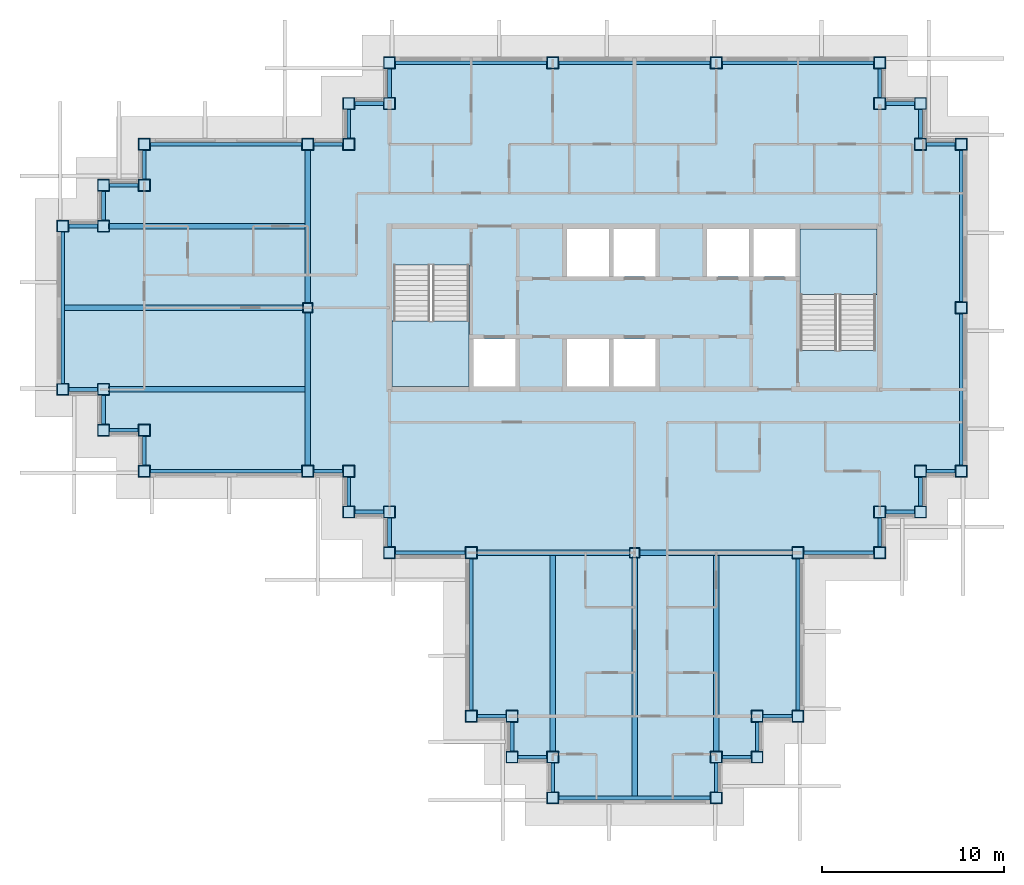
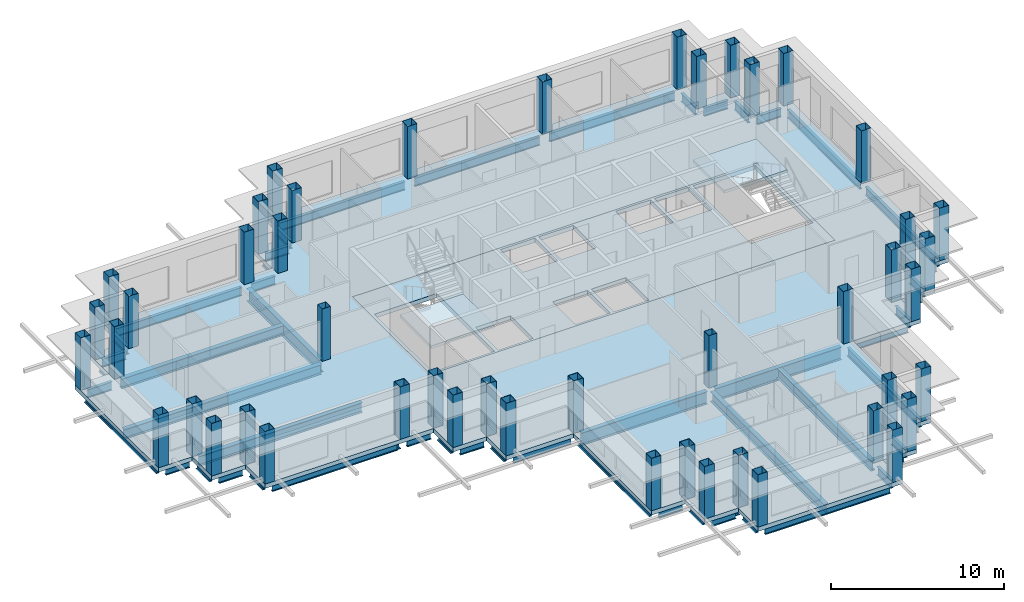
# One storey, part 1 of 12: 55 beams, 47 columns, 4 slabs, 2 elements without a shape of their own.
"""IFC4 building model written with IfcOpenShell, lengths in metres."""

from ifc_helpers import new_model, si_unit, direction, frame, origin, origin_2d, place, context, subcontext, project, spatial, polyline, hollow_rectangle, i_section, outline, extrude, material, layer, layer_set, material_profile, profile_set, type_object, element, aggregate, save


model = new_model("IFC4")

# Units and contexts
model_context = context("Model", 3, precision=1e-05, world=origin(), true_north=direction((0.0, 1.0)))
body_context = subcontext(model_context, "Body", "Model", "MODEL_VIEW")
ifc_project = project(units=[si_unit("LENGTHUNIT", "METRE"), si_unit("AREAUNIT", "SQUARE_METRE"), si_unit("VOLUMEUNIT", "CUBIC_METRE"), si_unit("PLANEANGLEUNIT", "RADIAN"), si_unit("MASSUNIT", "GRAM", prefix="KILO")], contexts=[model_context])

# Site, building, storey
site_placement = place(None, origin())
site = spatial("IfcSite", under=ifc_project, at=site_placement, CompositionType="ELEMENT")
building_placement = place(site_placement, origin())
building = spatial("IfcBuilding", under=site, at=building_placement, Name="Caravel Reach Hotel and Residences", CompositionType="ELEMENT")
storey_placement = place(building_placement, frame((0.0, 0.0, 218.300048828125)))
storey = spatial("IfcBuildingStorey", under=building, at=storey_placement, Name="L55", CompositionType="ELEMENT", Elevation=218.300048828125)

# Columns
ifc_material_1 = material(Name="Concrete-filled steel tube Q390B with Concrete C60 infill", Category="concrete")
ifc_material_profile_1 = material_profile(ifc_material_1, hollow_rectangle(XDim=0.550048828125, YDim=0.550048828125, WallThickness=0.01806640625, at=origin_2d()), Name="RHS 550x550x18")
ifc_profile_set_1 = profile_set([ifc_material_profile_1], Name="Concrete-filled steel tube Q390B with Concrete C60 infill")
column_type_1 = type_object("IfcColumnType", Name="CFT 550x550 Q390B C60", PredefinedType="COLUMN", material=ifc_profile_set_1)
for number, where, z_axis, x_axis, name in (
    (1, (31.5, 13.5, 0.0), (0.0, 0.0, 1.0), (1.0, 0.0, 0.0), "C18 column"),
    (2, (13.5, 27.0, 0.0), (0.0, 0.0, 1.0), (1.0, 0.0, 0.0), "C18 column"),
):
    element("IfcColumn", number, at=place(storey_placement, frame(where, z_axis=z_axis, x_axis=x_axis)), inside=storey, type_object=column_type_1, Name=name, PredefinedType="COLUMN", context=body_context, shape_type="SweptSolid", body=[
        extrude(hollow_rectangle(XDim=0.550048828125, YDim=0.550048828125, WallThickness=0.01806640625, at=origin_2d()), origin(), (0.0, 0.0, 1.0), 3.699951171875),
    ])
ifc_material_2 = material(Name="Concrete-filled steel tube Q390B with Concrete C60 infill", Category="concrete")
ifc_material_profile_2 = material_profile(ifc_material_2, hollow_rectangle(XDim=0.64990234375, YDim=0.64990234375, WallThickness=0.02099609375, at=origin_2d()), Name="RHS 650x650x21")
ifc_profile_set_2 = profile_set([ifc_material_profile_2], Name="Concrete-filled steel tube Q390B with Concrete C60 infill")
column_type_2 = type_object("IfcColumnType", Name="CFT 650x650 Q390B C60", PredefinedType="COLUMN", material=ifc_profile_set_2)
for number, where, z_axis, x_axis, name in (
    (3, (40.5, 13.5, 0.0), (0.0, 0.0, 1.0), (1.0, 0.0, 0.0), "C15 column"),
    (4, (45.0, 13.5, 0.0), (0.0, 0.0, 1.0), (1.0, 0.0, 0.0), "C15 column"),
    (5, (45.0, 15.75, 0.0), (0.0, 0.0, 1.0), (1.0, 0.0, 0.0), "C15 column"),
    (6, (47.25, 15.75, 0.0), (0.0, 0.0, 1.0), (1.0, 0.0, 0.0), "C15 column"),
    (7, (47.25, 18.0, 0.0), (0.0, 0.0, 1.0), (1.0, 0.0, 0.0), "C15 column"),
    (8, (49.5, 18.0, 0.0), (0.0, 0.0, 1.0), (1.0, 0.0, 0.0), "C15 column"),
    (9, (49.5, 27.0, 0.0), (0.0, 0.0, 1.0), (1.0, 0.0, 0.0), "C15 column"),
    (10, (49.5, 36.0, 0.0), (0.0, 0.0, 1.0), (1.0, 0.0, 0.0), "C15 column"),
    (11, (47.25, 36.0, 0.0), (0.0, 0.0, 1.0), (1.0, 0.0, 0.0), "C15 column"),
    (12, (47.25, 38.25, 0.0), (0.0, 0.0, 1.0), (1.0, 0.0, 0.0), "C15 column"),
    (13, (45.0, 38.25, 0.0), (0.0, 0.0, 1.0), (1.0, 0.0, 0.0), "C15 column"),
    (14, (45.0, 40.5, 0.0), (0.0, 0.0, 1.0), (1.0, 0.0, 0.0), "C15 column"),
    (15, (36.0, 40.5, 0.0), (0.0, 0.0, 1.0), (1.0, 0.0, 0.0), "C15 column"),
    (16, (27.0, 40.5, 0.0), (0.0, 0.0, 1.0), (1.0, 0.0, 0.0), "C15 column"),
    (17, (18.0, 40.5, 0.0), (0.0, 0.0, 1.0), (1.0, 0.0, 0.0), "C15 column"),
    (18, (18.0, 38.25, 0.0), (0.0, 0.0, 1.0), (1.0, 0.0, 0.0), "C15 column"),
    (19, (15.75, 38.25, 0.0), (0.0, 0.0, 1.0), (1.0, 0.0, 0.0), "C15 column"),
    (20, (15.75, 36.0, 0.0), (0.0, 0.0, 1.0), (1.0, 0.0, 0.0), "C15 column"),
    (21, (13.5, 36.0, 0.0), (0.0, 0.0, 1.0), (1.0, 0.0, 0.0), "C15 column"),
    (22, (4.5, 36.0, 0.0), (0.0, 0.0, 1.0), (1.0, 0.0, 0.0), "C15 column"),
    (23, (4.5, 33.75, 0.0), (0.0, 0.0, 1.0), (1.0, 0.0, 0.0), "C15 column"),
    (24, (2.25, 33.75, 0.0), (0.0, 0.0, 1.0), (1.0, 0.0, 0.0), "C15 column"),
    (25, (2.25, 31.5, 0.0), (0.0, 0.0, 1.0), (1.0, 0.0, 0.0), "C15 column"),
    (26, (0.0, 31.5, 0.0), (0.0, 0.0, 1.0), (1.0, 0.0, 0.0), "C15 column"),
    (27, (0.0, 22.5, 0.0), (0.0, 0.0, 1.0), (1.0, 0.0, 0.0), "C15 column"),
    (28, (2.25, 22.5, 0.0), (0.0, 0.0, 1.0), (1.0, 0.0, 0.0), "C15 column"),
    (29, (2.25, 20.25, 0.0), (0.0, 0.0, 1.0), (1.0, 0.0, 0.0), "C15 column"),
    (30, (4.5, 20.25, 0.0), (0.0, 0.0, 1.0), (1.0, 0.0, 0.0), "C15 column"),
    (31, (4.5, 18.0, 0.0), (0.0, 0.0, 1.0), (1.0, 0.0, 0.0), "C15 column"),
    (32, (13.5, 18.0, 0.0), (0.0, 0.0, 1.0), (1.0, 0.0, 0.0), "C15 column"),
    (33, (15.75, 18.0, 0.0), (0.0, 0.0, 1.0), (1.0, 0.0, 0.0), "C15 column"),
    (34, (15.75, 15.75, 0.0), (0.0, 0.0, 1.0), (1.0, 0.0, 0.0), "C15 column"),
    (35, (18.0, 15.75, 0.0), (0.0, 0.0, 1.0), (1.0, 0.0, 0.0), "C15 column"),
    (36, (18.0, 13.5, 0.0), (0.0, 0.0, 1.0), (1.0, 0.0, 0.0), "C15 column"),
    (37, (22.5, 13.5, 0.0), (0.0, 0.0, 1.0), (1.0, 0.0, 0.0), "C15 column"),
    (38, (22.5, 4.5, 0.0), (0.0, 0.0, 1.0), (1.0, 0.0, 0.0), "C15 column"),
    (39, (24.75, 4.5, 0.0), (0.0, 0.0, 1.0), (1.0, 0.0, 0.0), "C15 column"),
    (40, (24.75, 2.25, 0.0), (0.0, 0.0, 1.0), (1.0, 0.0, 0.0), "C15 column"),
    (41, (27.0, 2.25, 0.0), (0.0, 0.0, 1.0), (1.0, 0.0, 0.0), "C15 column"),
    (42, (27.0, 0.0, 0.0), (0.0, 0.0, 1.0), (1.0, 0.0, 0.0), "C15 column"),
    (43, (36.0, 0.0, 0.0), (0.0, 0.0, 1.0), (1.0, 0.0, 0.0), "C15 column"),
    (44, (36.0, 2.25, 0.0), (0.0, 0.0, 1.0), (1.0, 0.0, 0.0), "C15 column"),
    (45, (38.25, 2.25, 0.0), (0.0, 0.0, 1.0), (1.0, 0.0, 0.0), "C15 column"),
    (46, (38.25, 4.5, 0.0), (0.0, 0.0, 1.0), (1.0, 0.0, 0.0), "C15 column"),
    (47, (40.5, 4.5, 0.0), (0.0, 0.0, 1.0), (1.0, 0.0, 0.0), "C15 column"),
):
    element("IfcColumn", number, at=place(storey_placement, frame(where, z_axis=z_axis, x_axis=x_axis)), inside=storey, type_object=column_type_2, Name=name, PredefinedType="COLUMN", context=body_context, shape_type="SweptSolid", body=[
        extrude(hollow_rectangle(XDim=0.64990234375, YDim=0.64990234375, WallThickness=0.02099609375, at=origin_2d()), origin(), (0.0, 0.0, 1.0), 3.699951171875),
    ])

# Beams
ifc_material_3 = material(Name="Structural steel Q355B", Category="steel")
ifc_material_profile_3 = material_profile(ifc_material_3, i_section(OverallWidth=0.300048828125, OverallDepth=0.699951171875, WebThickness=0.012939453125, FlangeThickness=0.02392578125, FilletRadius=0.01806640625, at=origin_2d()), Name="HN 700x300x13x24")
ifc_profile_set_3 = profile_set([ifc_material_profile_3], Name="Structural steel Q355B")
beam_type_1 = type_object("IfcBeamType", Name="Beam HN 700x300x13x24", PredefinedType="BEAM", material=ifc_profile_set_3)
beam_1_placement = place(storey_placement, frame((27.0, 13.39990234375, -0.650146484375), z_axis=(0.0, -1.0, 0.0), x_axis=(1.0, 0.0, 0.0)))
element("IfcBeam", 48, at=beam_1_placement, inside=storey, type_object=beam_type_1, Name="B2 HN 700x300x13x24", PredefinedType="BEAM", context=body_context, shape_type="SweptSolid", body=[
    extrude(i_section(OverallWidth=0.300048828125, OverallDepth=0.699951171875, WebThickness=0.012939453125, FlangeThickness=0.02392578125, FilletRadius=0.01806640625, at=origin_2d()), origin(), (0.0, 0.0, 1.0), 10.875),
])
beam_2_placement = place(storey_placement, frame((31.5, 13.27490234375, -0.650146484375), z_axis=(0.0, -1.0, 0.0), x_axis=(1.0, 0.0, 0.0)))
element("IfcBeam", 49, at=beam_2_placement, inside=storey, type_object=beam_type_1, Name="B2 HN 700x300x13x24", PredefinedType="BEAM", context=body_context, shape_type="SweptSolid", body=[
    extrude(i_section(OverallWidth=0.300048828125, OverallDepth=0.699951171875, WebThickness=0.012939453125, FlangeThickness=0.02392578125, FilletRadius=0.01806640625, at=origin_2d()), origin(), (0.0, 0.0, 1.0), 13.1748046875),
])
for number, where, z_axis, x_axis, name in (
    (50, (36.0, 13.39990234375, -0.650146484375), (0.0, -1.0, 0.0), (1.0, 0.0, 0.0), "B2 HN 700x300x13x24"),
    (51, (13.39990234375, 22.5, -0.650146484375), (-1.0, 0.0, 0.0), (0.0, -1.0, 0.0), "B2 HN 700x300x13x24"),
):
    element("IfcBeam", number, at=place(storey_placement, frame(where, z_axis=z_axis, x_axis=x_axis)), inside=storey, type_object=beam_type_1, Name=name, PredefinedType="BEAM", context=body_context, shape_type="SweptSolid", body=[
        extrude(i_section(OverallWidth=0.300048828125, OverallDepth=0.699951171875, WebThickness=0.012939453125, FlangeThickness=0.02392578125, FilletRadius=0.01806640625, at=origin_2d()), origin(), (0.0, 0.0, 1.0), 10.875),
    ])
beam_3_placement = place(storey_placement, frame((13.27490234375, 27.0, -0.650146484375), z_axis=(-1.0, 0.0, 0.0), x_axis=(0.0, -1.0, 0.0)))
element("IfcBeam", 52, at=beam_3_placement, inside=storey, type_object=beam_type_1, Name="B2 HN 700x300x13x24", PredefinedType="BEAM", context=body_context, shape_type="SweptSolid", body=[
    extrude(i_section(OverallWidth=0.300048828125, OverallDepth=0.699951171875, WebThickness=0.012939453125, FlangeThickness=0.02392578125, FilletRadius=0.01806640625, at=origin_2d()), origin(), (0.0, 0.0, 1.0), 13.1748046875),
])
beam_4_placement = place(storey_placement, frame((13.39990234375, 31.5, -0.650146484375), z_axis=(-1.0, 0.0, 0.0), x_axis=(0.0, -1.0, 0.0)))
element("IfcBeam", 53, at=beam_4_placement, inside=storey, type_object=beam_type_1, Name="B2 HN 700x300x13x24", PredefinedType="BEAM", context=body_context, shape_type="SweptSolid", body=[
    extrude(i_section(OverallWidth=0.300048828125, OverallDepth=0.699951171875, WebThickness=0.012939453125, FlangeThickness=0.02392578125, FilletRadius=0.01806640625, at=origin_2d()), origin(), (0.0, 0.0, 1.0), 10.875),
])
ifc_material_4 = material(Name="Structural steel Q355B", Category="steel")
ifc_material_profile_4 = material_profile(ifc_material_4, i_section(OverallWidth=0.300048828125, OverallDepth=0.89990234375, WebThickness=0.01611328125, FlangeThickness=0.028076171875, FilletRadius=0.01806640625, at=origin_2d()), Name="HN 900x300x16x28")
ifc_profile_set_4 = profile_set([ifc_material_profile_4], Name="Structural steel Q355B")
beam_type_2 = type_object("IfcBeamType", Name="Beam HN 900x300x16x28", PredefinedType="BEAM", material=ifc_profile_set_4)
for number, where, z_axis, x_axis, name in (
    (54, (22.824951171875, 13.5, -0.75), (1.0, 0.0, 0.0), (0.0, 1.0, 0.0), "B3 HN 900x300x16x28"),
    (55, (31.77490234375, 13.5, -0.75), (1.0, 0.0, 0.0), (0.0, 1.0, 0.0), "B3 HN 900x300x16x28"),
    (56, (13.5, 18.324951171875, -0.75), (0.0, 1.0, 0.0), (-1.0, 0.0, 0.0), "B3 HN 900x300x16x28"),
    (57, (13.5, 27.27490234375, -0.75), (0.0, 1.0, 0.0), (-1.0, 0.0, 0.0), "B3 HN 900x300x16x28"),
):
    element("IfcBeam", number, at=place(storey_placement, frame(where, z_axis=z_axis, x_axis=x_axis)), inside=storey, type_object=beam_type_2, Name=name, PredefinedType="BEAM", context=body_context, shape_type="SweptSolid", body=[
        extrude(i_section(OverallWidth=0.300048828125, OverallDepth=0.89990234375, WebThickness=0.01611328125, FlangeThickness=0.028076171875, FilletRadius=0.01806640625, at=origin_2d()), origin(), (0.0, 0.0, 1.0), 8.400146484375),
    ])
ifc_material_5 = material(Name="Structural steel Q355B", Category="steel")
ifc_material_profile_5 = material_profile(ifc_material_5, i_section(OverallWidth=0.199951171875, OverallDepth=0.60009765625, WebThickness=0.010986328125, FlangeThickness=0.01708984375, FilletRadius=0.012939453125, at=origin_2d()), Name="HN 600x200x11x17")
ifc_profile_set_5 = profile_set([ifc_material_profile_5], Name="Structural steel Q355B")
beam_type_3 = type_object("IfcBeamType", Name="Spandrel beam HN 600x200x11x17", PredefinedType="SPANDREL", material=ifc_profile_set_5)
beam_5_placement = place(storey_placement, frame((40.824951171875, 13.5, -0.60009765625), z_axis=(1.0, 0.0, 0.0), x_axis=(0.0, 1.0, 0.0)))
element("IfcBeam", 58, at=beam_5_placement, inside=storey, type_object=beam_type_3, Name="SP1 HN 600x200x11x17", PredefinedType="SPANDREL", context=body_context, shape_type="SweptSolid", body=[
    extrude(i_section(OverallWidth=0.199951171875, OverallDepth=0.60009765625, WebThickness=0.010986328125, FlangeThickness=0.01708984375, FilletRadius=0.012939453125, at=origin_2d()), origin(), (0.0, 0.0, 1.0), 3.85009765625),
])
for number, where, z_axis, x_axis, name in (
    (59, (45.0, 13.824951171875, -0.60009765625), (0.0, 1.0, 0.0), (-1.0, 0.0, 0.0), "SP1 HN 600x200x11x17"),
    (60, (45.324951171875, 15.75, -0.60009765625), (1.0, 0.0, 0.0), (0.0, 1.0, 0.0), "SP1 HN 600x200x11x17"),
    (61, (47.25, 16.074951171875, -0.60009765625), (0.0, 1.0, 0.0), (-1.0, 0.0, 0.0), "SP1 HN 600x200x11x17"),
    (62, (47.574951171875, 18.0, -0.60009765625), (1.0, 0.0, 0.0), (0.0, 1.0, 0.0), "SP1 HN 600x200x11x17"),
):
    element("IfcBeam", number, at=place(storey_placement, frame(where, z_axis=z_axis, x_axis=x_axis)), inside=storey, type_object=beam_type_3, Name=name, PredefinedType="SPANDREL", context=body_context, shape_type="SweptSolid", body=[
        extrude(i_section(OverallWidth=0.199951171875, OverallDepth=0.60009765625, WebThickness=0.010986328125, FlangeThickness=0.01708984375, FilletRadius=0.012939453125, at=origin_2d()), origin(), (0.0, 0.0, 1.0), 1.60009765625),
    ])
for number, where, z_axis, x_axis, name in (
    (63, (49.5, 18.324951171875, -0.60009765625), (0.0, 1.0, 0.0), (-1.0, 0.0, 0.0), "SP1 HN 600x200x11x17"),
    (64, (49.5, 27.324951171875, -0.60009765625), (0.0, 1.0, 0.0), (-1.0, 0.0, 0.0), "SP1 HN 600x200x11x17"),
):
    element("IfcBeam", number, at=place(storey_placement, frame(where, z_axis=z_axis, x_axis=x_axis)), inside=storey, type_object=beam_type_3, Name=name, PredefinedType="SPANDREL", context=body_context, shape_type="SweptSolid", body=[
        extrude(i_section(OverallWidth=0.199951171875, OverallDepth=0.60009765625, WebThickness=0.010986328125, FlangeThickness=0.01708984375, FilletRadius=0.012939453125, at=origin_2d()), origin(), (0.0, 0.0, 1.0), 8.35009765625),
    ])
for number, where, z_axis, x_axis, name in (
    (65, (49.175048828125, 36.0, -0.60009765625), (-1.0, 0.0, 0.0), (0.0, -1.0, 0.0), "SP1 HN 600x200x11x17"),
    (66, (47.25, 36.324951171875, -0.60009765625), (0.0, 1.0, 0.0), (-1.0, 0.0, 0.0), "SP1 HN 600x200x11x17"),
    (67, (46.925048828125, 38.25, -0.60009765625), (-1.0, 0.0, 0.0), (0.0, -1.0, 0.0), "SP1 HN 600x200x11x17"),
    (68, (45.0, 38.574951171875, -0.60009765625), (0.0, 1.0, 0.0), (-1.0, 0.0, 0.0), "SP1 HN 600x200x11x17"),
):
    element("IfcBeam", number, at=place(storey_placement, frame(where, z_axis=z_axis, x_axis=x_axis)), inside=storey, type_object=beam_type_3, Name=name, PredefinedType="SPANDREL", context=body_context, shape_type="SweptSolid", body=[
        extrude(i_section(OverallWidth=0.199951171875, OverallDepth=0.60009765625, WebThickness=0.010986328125, FlangeThickness=0.01708984375, FilletRadius=0.012939453125, at=origin_2d()), origin(), (0.0, 0.0, 1.0), 1.60009765625),
    ])
for number, where, z_axis, x_axis, name in (
    (69, (44.675048828125, 40.5, -0.60009765625), (-1.0, 0.0, 0.0), (0.0, -1.0, 0.0), "SP1 HN 600x200x11x17"),
    (70, (35.675048828125, 40.5, -0.60009765625), (-1.0, 0.0, 0.0), (0.0, -1.0, 0.0), "SP1 HN 600x200x11x17"),
    (71, (26.675048828125, 40.5, -0.60009765625), (-1.0, 0.0, 0.0), (0.0, -1.0, 0.0), "SP1 HN 600x200x11x17"),
):
    element("IfcBeam", number, at=place(storey_placement, frame(where, z_axis=z_axis, x_axis=x_axis)), inside=storey, type_object=beam_type_3, Name=name, PredefinedType="SPANDREL", context=body_context, shape_type="SweptSolid", body=[
        extrude(i_section(OverallWidth=0.199951171875, OverallDepth=0.60009765625, WebThickness=0.010986328125, FlangeThickness=0.01708984375, FilletRadius=0.012939453125, at=origin_2d()), origin(), (0.0, 0.0, 1.0), 8.35009765625),
    ])
for number, where, z_axis, x_axis, name in (
    (72, (18.0, 40.175048828125, -0.60009765625), (0.0, -1.0, 0.0), (1.0, 0.0, 0.0), "SP1 HN 600x200x11x17"),
    (73, (17.675048828125, 38.25, -0.60009765625), (-1.0, 0.0, 0.0), (0.0, -1.0, 0.0), "SP1 HN 600x200x11x17"),
    (74, (15.75, 37.925048828125, -0.60009765625), (0.0, -1.0, 0.0), (1.0, 0.0, 0.0), "SP1 HN 600x200x11x17"),
    (75, (15.425048828125, 36.0, -0.60009765625), (-1.0, 0.0, 0.0), (0.0, -1.0, 0.0), "SP1 HN 600x200x11x17"),
):
    element("IfcBeam", number, at=place(storey_placement, frame(where, z_axis=z_axis, x_axis=x_axis)), inside=storey, type_object=beam_type_3, Name=name, PredefinedType="SPANDREL", context=body_context, shape_type="SweptSolid", body=[
        extrude(i_section(OverallWidth=0.199951171875, OverallDepth=0.60009765625, WebThickness=0.010986328125, FlangeThickness=0.01708984375, FilletRadius=0.012939453125, at=origin_2d()), origin(), (0.0, 0.0, 1.0), 1.60009765625),
    ])
beam_6_placement = place(storey_placement, frame((13.175048828125, 36.0, -0.60009765625), z_axis=(-1.0, 0.0, 0.0), x_axis=(0.0, -1.0, 0.0)))
element("IfcBeam", 76, at=beam_6_placement, inside=storey, type_object=beam_type_3, Name="SP1 HN 600x200x11x17", PredefinedType="SPANDREL", context=body_context, shape_type="SweptSolid", body=[
    extrude(i_section(OverallWidth=0.199951171875, OverallDepth=0.60009765625, WebThickness=0.010986328125, FlangeThickness=0.01708984375, FilletRadius=0.012939453125, at=origin_2d()), origin(), (0.0, 0.0, 1.0), 8.35009765625),
])
for number, where, z_axis, x_axis, name in (
    (77, (4.5, 35.675048828125, -0.60009765625), (0.0, -1.0, 0.0), (1.0, 0.0, 0.0), "SP1 HN 600x200x11x17"),
    (78, (4.175048828125, 33.75, -0.60009765625), (-1.0, 0.0, 0.0), (0.0, -1.0, 0.0), "SP1 HN 600x200x11x17"),
    (79, (2.25, 33.425048828125, -0.60009765625), (0.0, -1.0, 0.0), (1.0, 0.0, 0.0), "SP1 HN 600x200x11x17"),
    (80, (1.925048828125, 31.5, -0.60009765625), (-1.0, 0.0, 0.0), (0.0, -1.0, 0.0), "SP1 HN 600x200x11x17"),
):
    element("IfcBeam", number, at=place(storey_placement, frame(where, z_axis=z_axis, x_axis=x_axis)), inside=storey, type_object=beam_type_3, Name=name, PredefinedType="SPANDREL", context=body_context, shape_type="SweptSolid", body=[
        extrude(i_section(OverallWidth=0.199951171875, OverallDepth=0.60009765625, WebThickness=0.010986328125, FlangeThickness=0.01708984375, FilletRadius=0.012939453125, at=origin_2d()), origin(), (0.0, 0.0, 1.0), 1.60009765625),
    ])
beam_7_placement = place(storey_placement, frame((0.0, 31.175048828125, -0.60009765625), z_axis=(0.0, -1.0, 0.0), x_axis=(1.0, 0.0, 0.0)))
element("IfcBeam", 81, at=beam_7_placement, inside=storey, type_object=beam_type_3, Name="SP1 HN 600x200x11x17", PredefinedType="SPANDREL", context=body_context, shape_type="SweptSolid", body=[
    extrude(i_section(OverallWidth=0.199951171875, OverallDepth=0.60009765625, WebThickness=0.010986328125, FlangeThickness=0.01708984375, FilletRadius=0.012939453125, at=origin_2d()), origin(), (0.0, 0.0, 1.0), 8.35009765625),
])
for number, where, z_axis, x_axis, name in (
    (82, (0.324951171875, 22.5, -0.60009765625), (1.0, 0.0, 0.0), (0.0, 1.0, 0.0), "SP1 HN 600x200x11x17"),
    (83, (2.25, 22.175048828125, -0.60009765625), (0.0, -1.0, 0.0), (1.0, 0.0, 0.0), "SP1 HN 600x200x11x17"),
    (84, (2.574951171875, 20.25, -0.60009765625), (1.0, 0.0, 0.0), (0.0, 1.0, 0.0), "SP1 HN 600x200x11x17"),
    (85, (4.5, 19.925048828125, -0.60009765625), (0.0, -1.0, 0.0), (1.0, 0.0, 0.0), "SP1 HN 600x200x11x17"),
):
    element("IfcBeam", number, at=place(storey_placement, frame(where, z_axis=z_axis, x_axis=x_axis)), inside=storey, type_object=beam_type_3, Name=name, PredefinedType="SPANDREL", context=body_context, shape_type="SweptSolid", body=[
        extrude(i_section(OverallWidth=0.199951171875, OverallDepth=0.60009765625, WebThickness=0.010986328125, FlangeThickness=0.01708984375, FilletRadius=0.012939453125, at=origin_2d()), origin(), (0.0, 0.0, 1.0), 1.60009765625),
    ])
beam_8_placement = place(storey_placement, frame((4.824951171875, 18.0, -0.60009765625), z_axis=(1.0, 0.0, 0.0), x_axis=(0.0, 1.0, 0.0)))
element("IfcBeam", 86, at=beam_8_placement, inside=storey, type_object=beam_type_3, Name="SP1 HN 600x200x11x17", PredefinedType="SPANDREL", context=body_context, shape_type="SweptSolid", body=[
    extrude(i_section(OverallWidth=0.199951171875, OverallDepth=0.60009765625, WebThickness=0.010986328125, FlangeThickness=0.01708984375, FilletRadius=0.012939453125, at=origin_2d()), origin(), (0.0, 0.0, 1.0), 8.35009765625),
])
for number, where, z_axis, x_axis, name in (
    (87, (13.824951171875, 18.0, -0.60009765625), (1.0, 0.0, 0.0), (0.0, 1.0, 0.0), "SP1 HN 600x200x11x17"),
    (88, (15.75, 17.675048828125, -0.60009765625), (0.0, -1.0, 0.0), (1.0, 0.0, 0.0), "SP1 HN 600x200x11x17"),
    (89, (16.074951171875, 15.75, -0.60009765625), (1.0, 0.0, 0.0), (0.0, 1.0, 0.0), "SP1 HN 600x200x11x17"),
    (90, (18.0, 15.425048828125, -0.60009765625), (0.0, -1.0, 0.0), (1.0, 0.0, 0.0), "SP1 HN 600x200x11x17"),
):
    element("IfcBeam", number, at=place(storey_placement, frame(where, z_axis=z_axis, x_axis=x_axis)), inside=storey, type_object=beam_type_3, Name=name, PredefinedType="SPANDREL", context=body_context, shape_type="SweptSolid", body=[
        extrude(i_section(OverallWidth=0.199951171875, OverallDepth=0.60009765625, WebThickness=0.010986328125, FlangeThickness=0.01708984375, FilletRadius=0.012939453125, at=origin_2d()), origin(), (0.0, 0.0, 1.0), 1.60009765625),
    ])
beam_9_placement = place(storey_placement, frame((18.324951171875, 13.5, -0.60009765625), z_axis=(1.0, 0.0, 0.0), x_axis=(0.0, 1.0, 0.0)))
element("IfcBeam", 91, at=beam_9_placement, inside=storey, type_object=beam_type_3, Name="SP1 HN 600x200x11x17", PredefinedType="SPANDREL", context=body_context, shape_type="SweptSolid", body=[
    extrude(i_section(OverallWidth=0.199951171875, OverallDepth=0.60009765625, WebThickness=0.010986328125, FlangeThickness=0.01708984375, FilletRadius=0.012939453125, at=origin_2d()), origin(), (0.0, 0.0, 1.0), 3.85009765625),
])
beam_10_placement = place(storey_placement, frame((22.5, 13.175048828125, -0.60009765625), z_axis=(0.0, -1.0, 0.0), x_axis=(1.0, 0.0, 0.0)))
element("IfcBeam", 92, at=beam_10_placement, inside=storey, type_object=beam_type_3, Name="SP1 HN 600x200x11x17", PredefinedType="SPANDREL", context=body_context, shape_type="SweptSolid", body=[
    extrude(i_section(OverallWidth=0.199951171875, OverallDepth=0.60009765625, WebThickness=0.010986328125, FlangeThickness=0.01708984375, FilletRadius=0.012939453125, at=origin_2d()), origin(), (0.0, 0.0, 1.0), 8.35009765625),
])
for number, where, z_axis, x_axis, name in (
    (93, (22.824951171875, 4.5, -0.60009765625), (1.0, 0.0, 0.0), (0.0, 1.0, 0.0), "SP1 HN 600x200x11x17"),
    (94, (24.75, 4.175048828125, -0.60009765625), (0.0, -1.0, 0.0), (1.0, 0.0, 0.0), "SP1 HN 600x200x11x17"),
    (95, (25.074951171875, 2.25, -0.60009765625), (1.0, 0.0, 0.0), (0.0, 1.0, 0.0), "SP1 HN 600x200x11x17"),
    (96, (27.0, 1.925048828125, -0.60009765625), (0.0, -1.0, 0.0), (1.0, 0.0, 0.0), "SP1 HN 600x200x11x17"),
):
    element("IfcBeam", number, at=place(storey_placement, frame(where, z_axis=z_axis, x_axis=x_axis)), inside=storey, type_object=beam_type_3, Name=name, PredefinedType="SPANDREL", context=body_context, shape_type="SweptSolid", body=[
        extrude(i_section(OverallWidth=0.199951171875, OverallDepth=0.60009765625, WebThickness=0.010986328125, FlangeThickness=0.01708984375, FilletRadius=0.012939453125, at=origin_2d()), origin(), (0.0, 0.0, 1.0), 1.60009765625),
    ])
beam_11_placement = place(storey_placement, frame((27.324951171875, 0.0, -0.60009765625), z_axis=(1.0, 0.0, 0.0), x_axis=(0.0, 1.0, 0.0)))
element("IfcBeam", 97, at=beam_11_placement, inside=storey, type_object=beam_type_3, Name="SP1 HN 600x200x11x17", PredefinedType="SPANDREL", context=body_context, shape_type="SweptSolid", body=[
    extrude(i_section(OverallWidth=0.199951171875, OverallDepth=0.60009765625, WebThickness=0.010986328125, FlangeThickness=0.01708984375, FilletRadius=0.012939453125, at=origin_2d()), origin(), (0.0, 0.0, 1.0), 8.35009765625),
])
for number, where, z_axis, x_axis, name in (
    (98, (36.0, 0.324951171875, -0.60009765625), (0.0, 1.0, 0.0), (-1.0, 0.0, 0.0), "SP1 HN 600x200x11x17"),
    (99, (36.324951171875, 2.25, -0.60009765625), (1.0, 0.0, 0.0), (0.0, 1.0, 0.0), "SP1 HN 600x200x11x17"),
    (100, (38.25, 2.574951171875, -0.60009765625), (0.0, 1.0, 0.0), (-1.0, 0.0, 0.0), "SP1 HN 600x200x11x17"),
    (101, (38.574951171875, 4.5, -0.60009765625), (1.0, 0.0, 0.0), (0.0, 1.0, 0.0), "SP1 HN 600x200x11x17"),
):
    element("IfcBeam", number, at=place(storey_placement, frame(where, z_axis=z_axis, x_axis=x_axis)), inside=storey, type_object=beam_type_3, Name=name, PredefinedType="SPANDREL", context=body_context, shape_type="SweptSolid", body=[
        extrude(i_section(OverallWidth=0.199951171875, OverallDepth=0.60009765625, WebThickness=0.010986328125, FlangeThickness=0.01708984375, FilletRadius=0.012939453125, at=origin_2d()), origin(), (0.0, 0.0, 1.0), 1.60009765625),
    ])
beam_12_placement = place(storey_placement, frame((40.5, 4.824951171875, -0.60009765625), z_axis=(0.0, 1.0, 0.0), x_axis=(-1.0, 0.0, 0.0)))
element("IfcBeam", 102, at=beam_12_placement, inside=storey, type_object=beam_type_3, Name="SP1 HN 600x200x11x17", PredefinedType="SPANDREL", context=body_context, shape_type="SweptSolid", body=[
    extrude(i_section(OverallWidth=0.199951171875, OverallDepth=0.60009765625, WebThickness=0.010986328125, FlangeThickness=0.01708984375, FilletRadius=0.012939453125, at=origin_2d()), origin(), (0.0, 0.0, 1.0), 8.35009765625),
])

# Slab
ifc_material_6 = material(Name="Concrete C40", Category="concrete")
ifc_layer_1 = layer(ifc_material_6, 0.300048828125)
ifc_layer_set_1 = layer_set([ifc_layer_1], Name="Core floor slab 300 mm")
slab_type_1 = type_object("IfcSlabType", Name="Core floor slab 300 mm", PredefinedType="FLOOR", material=ifc_layer_set_1)
slab_1_placement = place(storey_placement, frame((0.0, 0.0, -0.300048828125)))
element("IfcSlab", 103, at=slab_1_placement, inside=storey, type_object=slab_type_1, Name="L55 core floor", PredefinedType="FLOOR", context=body_context, shape_type="SweptSolid", body=[
    extrude(outline(polyline([(18.0, 31.5), (45.0, 31.5), (45.0, 22.5), (18.0, 22.5), (18.0, 31.5)]), holes=[polyline([(22.625, 25.27490234375), (22.625, 22.64990234375), (24.9462890625, 22.64990234375), (24.9462890625, 25.27490234375), (22.625, 25.27490234375)]), polyline([(27.767822265625, 25.27490234375), (27.767822265625, 22.64990234375), (30.08935546875, 22.64990234375), (30.08935546875, 25.27490234375), (27.767822265625, 25.27490234375)]), polyline([(30.33935546875, 25.27490234375), (30.33935546875, 22.64990234375), (32.66064453125, 22.64990234375), (32.66064453125, 25.27490234375), (30.33935546875, 25.27490234375)]), polyline([(22.375, 22.64990234375), (22.375, 29.35009765625), (18.22509765625, 29.35009765625), (18.22509765625, 22.64990234375), (22.375, 22.64990234375)]), polyline([(40.625, 31.35009765625), (40.625, 24.64990234375), (44.77490234375, 24.64990234375), (44.77490234375, 31.35009765625), (40.625, 31.35009765625)]), polyline([(27.767822265625, 31.35009765625), (27.767822265625, 28.72509765625), (30.08935546875, 28.72509765625), (30.08935546875, 31.35009765625), (27.767822265625, 31.35009765625)]), polyline([(30.33935546875, 31.35009765625), (30.33935546875, 28.72509765625), (32.66064453125, 28.72509765625), (32.66064453125, 31.35009765625), (30.33935546875, 31.35009765625)]), polyline([(37.8037109375, 31.35009765625), (35.482177734375, 31.35009765625), (35.482177734375, 28.72509765625), (37.8037109375, 28.72509765625), (37.8037109375, 31.35009765625)]), polyline([(40.375, 31.35009765625), (38.0537109375, 31.35009765625), (38.0537109375, 28.72509765625), (40.375, 28.72509765625), (40.375, 31.35009765625)])]), origin(), (0.0, 0.0, 1.0), 0.300048828125),
])

# Stair, slab
ifc_material_7 = material(Name="Concrete C40", Category="concrete")
stair_type = type_object("IfcStairType", Name="Core stair", PredefinedType="HALF_TURN_STAIR", material=ifc_material_7)
stair_1_placement = place(storey_placement, origin())
stair_1 = element("IfcStair", 104, at=stair_1_placement, inside=storey, type_object=stair_type, Name="L55 Exit stair A", PredefinedType="HALF_TURN_STAIR")
ifc_material_8 = material(Name="Concrete C40", Category="concrete")
ifc_layer_2 = layer(ifc_material_8, 0.199951171875)
ifc_layer_set_2 = layer_set([ifc_layer_2], Name="Core stair landing")
slab_type_2 = type_object("IfcSlabType", Name="Core stair landing", PredefinedType="LANDING", material=ifc_layer_set_2)
slab_2_placement = place(storey_placement, frame((0.0, 0.0, 1.64990234375)))
slab_2 = element("IfcSlab", 105, at=slab_2_placement, type_object=slab_type_2, Name="ST-A landing 1", PredefinedType="LANDING", context=body_context, shape_type="SweptSolid", body=[
    extrude(outline(polyline([(18.14990234375, 26.27001953125), (18.14990234375, 22.64990234375), (22.375, 22.64990234375), (22.375, 26.27001953125), (18.14990234375, 26.27001953125)])), origin(), (0.0, 0.0, 1.0), 0.199951171875),
])
aggregate(stair_1, [slab_2])

stair_2_placement = place(storey_placement, origin())
stair_2 = element("IfcStair", 106, at=stair_2_placement, inside=storey, type_object=stair_type, Name="L55 Exit stair B", PredefinedType="HALF_TURN_STAIR")
slab_3_placement = place(storey_placement, frame((0.0, 0.0, 1.64990234375)))
slab_3 = element("IfcSlab", 107, at=slab_3_placement, type_object=slab_type_2, Name="ST-B landing 1", PredefinedType="LANDING", context=body_context, shape_type="SweptSolid", body=[
    extrude(outline(polyline([(44.85009765625, 27.72998046875), (44.85009765625, 31.35009765625), (40.625, 31.35009765625), (40.625, 27.72998046875), (44.85009765625, 27.72998046875)])), origin(), (0.0, 0.0, 1.0), 0.199951171875),
])
aggregate(stair_2, [slab_3])

# Slab
ifc_material_9 = material(Name="Concrete C40 post-tensioned", Category="concrete")
ifc_layer_3 = layer(ifc_material_9, 0.300048828125)
ifc_layer_set_3 = layer_set([ifc_layer_3], Name="Floor slab 300")
slab_type_3 = type_object("IfcSlabType", Name="Floor slab 300", PredefinedType="FLOOR", material=ifc_layer_set_3)
slab_4_placement = place(storey_placement, frame((0.0, 0.0, -0.300048828125)))
element("IfcSlab", 108, at=slab_4_placement, inside=storey, type_object=slab_type_3, Name="S2 slab L55", PredefinedType="FLOOR", context=body_context, shape_type="SweptSolid", body=[
    extrude(outline(polyline([(38.574951171875, 4.175048828125), (38.574951171875, 1.925048828125), (36.324951171875, 1.925048828125), (36.324951171875, -0.324951171875), (26.675048828125, -0.324951171875), (26.675048828125, 1.925048828125), (24.425048828125, 1.925048828125), (24.425048828125, 4.175048828125), (22.175048828125, 4.175048828125), (22.175048828125, 13.175048828125), (17.675048828125, 13.175048828125), (17.675048828125, 15.425048828125), (15.425048828125, 15.425048828125), (15.425048828125, 17.675048828125), (4.175048828125, 17.675048828125), (4.175048828125, 19.925048828125), (1.925048828125, 19.925048828125), (1.925048828125, 22.175048828125), (-0.324951171875, 22.175048828125), (-0.324951171875, 31.824951171875), (1.925048828125, 31.824951171875), (1.925048828125, 34.074951171875), (4.175048828125, 34.074951171875), (4.175048828125, 36.324951171875), (15.425048828125, 36.324951171875), (15.425048828125, 38.574951171875), (17.675048828125, 38.574951171875), (17.675048828125, 40.824951171875), (45.324951171875, 40.824951171875), (45.324951171875, 38.574951171875), (47.574951171875, 38.574951171875), (47.574951171875, 36.324951171875), (49.824951171875, 36.324951171875), (49.824951171875, 17.675048828125), (47.574951171875, 17.675048828125), (47.574951171875, 15.425048828125), (45.324951171875, 15.425048828125), (45.324951171875, 13.175048828125), (40.824951171875, 13.175048828125), (40.824951171875, 4.175048828125), (38.574951171875, 4.175048828125)]), holes=[polyline([(45.0, 31.5), (18.0, 31.5), (18.0, 22.5), (45.0, 22.5), (45.0, 31.5)])]), origin(), (0.0, 0.0, 1.0), 0.300048828125),
])

save(model, "model.ifc")
